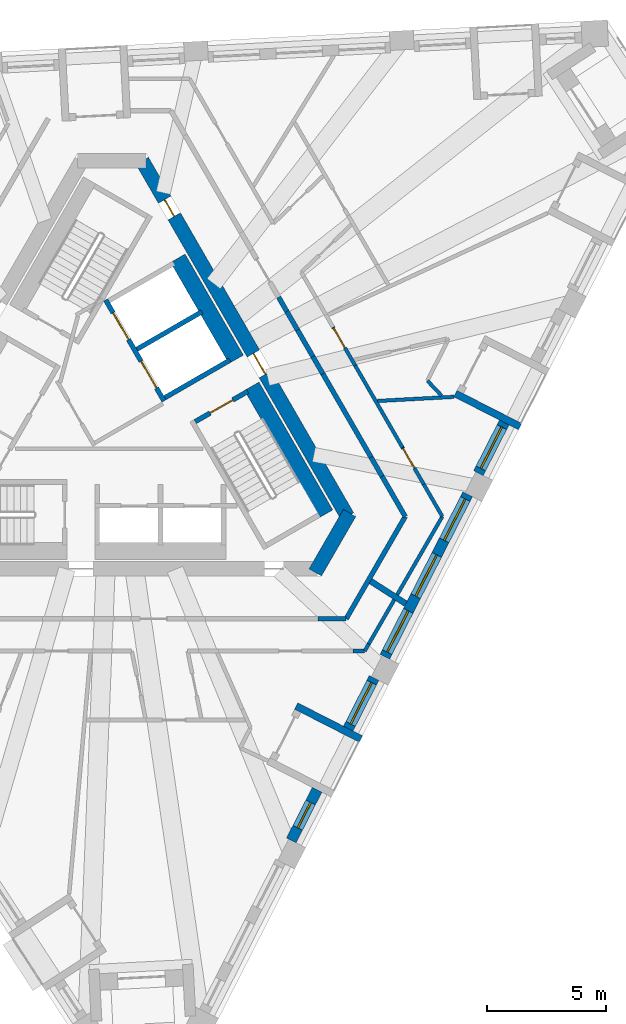
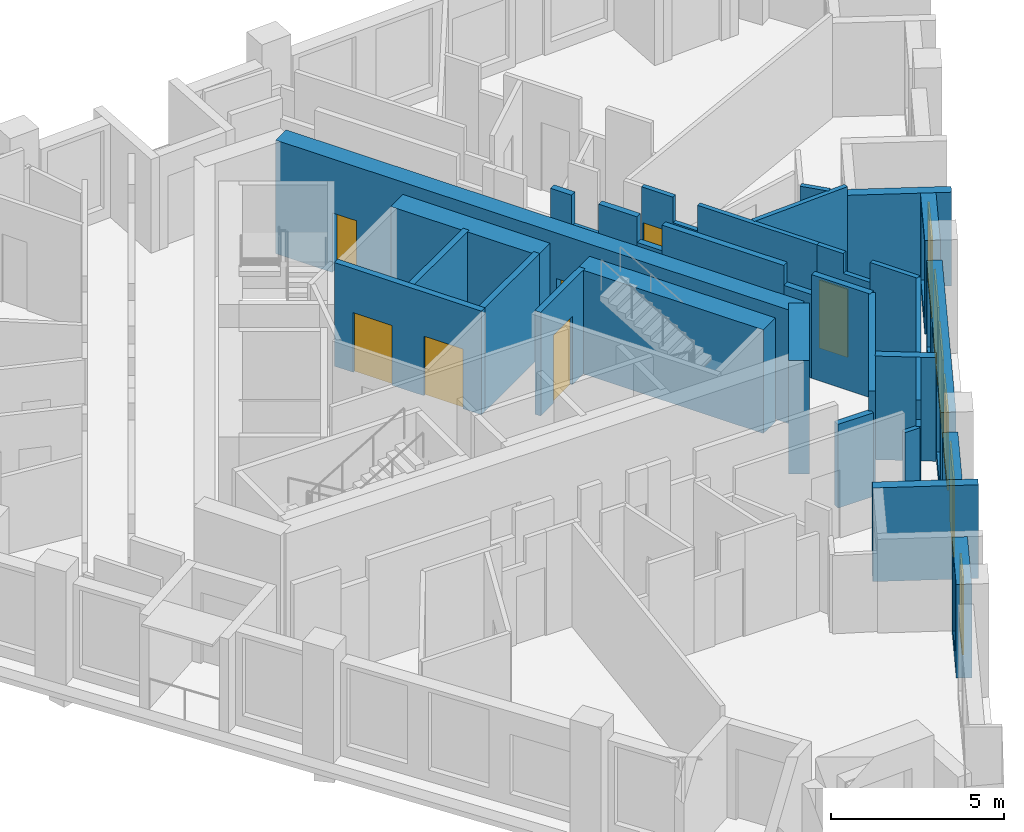
# One storey, part 5 of 13: 33 walls, 7 doors, 6 windows, 13 openings.
"""IFC4 building model written with IfcOpenShell, lengths in metres."""

import ifcopenshell
import ifcopenshell.guid

model = None  # the IFC model being written
_history = None  # IfcOwnerHistory: only IFC2X3 demands one
_inside = {}  # id of a spatial element -> (the spatial element, [elements in it])
_under = {}  # id of a project, library or spatial element -> (it, [spatial elements below it])
_declared = {}  # id of a project -> (the project, [libraries it declares])
_typed = {}  # id of a type object -> (the type object, [elements of that type])
_made_of = {}  # id of a material, layer set ... -> (it, [elements and type objects made of it])


def new_model(schema):
    """Start an empty IFC model of exactly this schema.

    Asked for "IFC4X3", IfcOpenShell would pick the latest addendum, in which some entities
    have other attributes; the version numbers below select the first issue.
    IFC2X3 requires an IfcOwnerHistory on every rooted entity: one is made here for all.
    """
    global model, _history
    if schema == "IFC4X3":
        model = ifcopenshell.file(schema_version=(4, 3, 0, 0))
    else:
        model = ifcopenshell.file(schema=schema)
    _inside.clear()
    _under.clear()
    _declared.clear()
    _typed.clear()
    _made_of.clear()
    _history = None
    if model.schema == "IFC2X3":
        org = make("IfcOrganization", Name="unknown")
        user = make(
            "IfcPersonAndOrganization",
            ThePerson=make("IfcPerson", FamilyName="unknown"),
            TheOrganization=org,
        )
        app = make(
            "IfcApplication",
            ApplicationDeveloper=org,
            Version="unknown",
            ApplicationFullName="unknown",
            ApplicationIdentifier="unknown",
        )
        _history = make(
            "IfcOwnerHistory",
            OwningUser=user,
            OwningApplication=app,
            ChangeAction="ADDED",
            CreationDate=0,
        )
    return model


def make(cls, **values):
    """One entity of the class cls with the attributes given. An attribute that is None is left unset."""
    return model.create_entity(
        cls, **{name: value for name, value in values.items() if value is not None}
    )


def rooted(cls, **values):
    """An entity with a GlobalId (a new one), such as an element, a storey or a relation."""
    return make(cls, GlobalId=ifcopenshell.guid.new(), OwnerHistory=_history, **values)


def si_unit(unit_type, name, prefix=None):
    """IfcSIUnit, for example si_unit("LENGTHUNIT", "METRE", prefix="MILLI")."""
    return make("IfcSIUnit", UnitType=unit_type, Prefix=prefix, Name=name)


def assignment(units):
    """IfcUnitAssignment: the units of a project."""
    return None if units is None else make("IfcUnitAssignment", Units=units)


def point(xyz):
    """IfcCartesianPoint."""
    return None if xyz is None else make("IfcCartesianPoint", Coordinates=xyz)


def direction(xyz):
    """IfcDirection."""
    return None if xyz is None else make("IfcDirection", DirectionRatios=xyz)


def frame(location, z_axis=None, x_axis=None):
    """IfcAxis2Placement3D, a coordinate frame: its origin and axes. An axis left out is left unset."""
    return make(
        "IfcAxis2Placement3D",
        Location=point(location),
        Axis=direction(z_axis),
        RefDirection=direction(x_axis),
    )


def frame_2d(location, x_axis=None):
    """IfcAxis2Placement2D, a coordinate frame in the plane: its origin and x axis."""
    return make(
        "IfcAxis2Placement2D", Location=point(location), RefDirection=direction(x_axis)
    )


def origin():
    """The frame at (0, 0, 0) with its axes left unset."""
    return frame((0.0, 0.0, 0.0))


def place(relative_to, where):
    """IfcLocalPlacement: puts the frame where relative to a parent placement (None: the world)."""
    return make(
        "IfcLocalPlacement", PlacementRelTo=relative_to, RelativePlacement=where
    )


def context(
    kind, dimensions, precision=None, world=None, true_north=None, identifier=None
):
    """IfcGeometricRepresentationContext, for example the 3D "Model" context."""
    return make(
        "IfcGeometricRepresentationContext",
        ContextIdentifier=identifier,
        ContextType=kind,
        CoordinateSpaceDimension=dimensions,
        Precision=precision,
        WorldCoordinateSystem=world,
        TrueNorth=true_north,
    )


def subcontext(parent, identifier, kind, view, scale=None):
    """IfcGeometricRepresentationSubContext, for example "Body" below "Model"."""
    return make(
        "IfcGeometricRepresentationSubContext",
        ContextIdentifier=identifier,
        ContextType=kind,
        ParentContext=parent,
        TargetScale=scale,
        TargetView=view,
    )


def project(units=None, contexts=None):
    """IfcProject with its units and contexts."""
    return rooted(
        "IfcProject",
        Name="project",
        RepresentationContexts=contexts,
        UnitsInContext=assignment(units),
    )


def spatial(cls, under=None, at=None, **own):
    """A site, building, storey or space (cls), placed at a placement, below another one or the project."""
    s = rooted(cls, ObjectPlacement=at, **own)
    if under is not None:
        _under.setdefault(under.id(), (under, []))[1].append(s)
    return s


def polyline(points):
    """IfcPolyline through the points."""
    return make("IfcPolyline", Points=[point(p) for p in points])


def profile(cls, at=None, kind="AREA", **sizes):
    """A parametric profile (cls). Its sizes go by their IFC names, for example OverallWidth=200.0."""
    return make(cls, ProfileType=kind, Position=at, **sizes)


def rectangle(**sizes):
    """IfcRectangleProfileDef."""
    return profile("IfcRectangleProfileDef", **sizes)


def outline(outer, holes=None, kind="AREA"):
    """IfcArbitraryClosedProfileDef: a profile drawn as a closed curve; with holes, ...WithVoids."""
    if holes is None:
        return make("IfcArbitraryClosedProfileDef", ProfileType=kind, OuterCurve=outer)
    return make(
        "IfcArbitraryProfileDefWithVoids",
        ProfileType=kind,
        OuterCurve=outer,
        InnerCurves=holes,
    )


def extrude(swept, where, along, depth):
    """IfcExtrudedAreaSolid: the profile swept, set in the frame where, extruded along a direction by depth."""
    return make(
        "IfcExtrudedAreaSolid",
        SweptArea=swept,
        Position=where,
        ExtrudedDirection=direction(along),
        Depth=depth,
    )


def shape(context_of_items, identifier, shape_type, items):
    """IfcShapeRepresentation: the items that make up one representation, for example the "Body"."""
    return make(
        "IfcShapeRepresentation",
        ContextOfItems=context_of_items,
        RepresentationIdentifier=identifier,
        RepresentationType=shape_type,
        Items=items,
    )


def material(Name=None, Category=None):
    """IfcMaterial."""
    return make("IfcMaterial", Name=Name, Category=Category)


def layer(
    of_material, thickness, ventilated=None, Name=None, Category=None, Priority=None
):
    """IfcMaterialLayer: one layer of a wall or slab, of a material (None: an air gap)."""
    return make(
        "IfcMaterialLayer",
        Material=of_material,
        LayerThickness=thickness,
        IsVentilated=ventilated,
        Name=Name,
        Category=Category,
        Priority=Priority,
    )


def layer_set(layers, Name=None):
    """IfcMaterialLayerSet."""
    return make("IfcMaterialLayerSet", MaterialLayers=layers, LayerSetName=Name)


def made_of(thing, what):
    """Note that an element or type object is made of a material, layer set ...; save() writes the relation."""
    if what is not None:
        _made_of.setdefault(what.id(), (what, []))[1].append(thing)
    return thing


def type_object(cls, material=None, **own):
    """A type object (cls), such as IfcWallType, which elements share."""
    return made_of(rooted(cls, **own), material)


def element(
    cls,
    number,
    at=None,
    inside=None,
    cuts=None,
    type_object=None,
    material=None,
    context=None,
    identifier="Body",
    shape_type=None,
    held_by="IfcProductDefinitionShape",
    body=None,
    shapes=None,
    **own,
):
    """One element of the class cls, such as IfcWall. Its Tag is "e" and its number.

    at: its placement. inside: the storey or other place that contains it. cuts: it is an
    opening in that element (IfcRelVoidsElement). A single representation is given by context,
    identifier, shape_type and body (its items); several are given by shapes. held_by: the class
    of the entity that holds the representations. save() writes the other relations.
    """
    e = rooted(cls, Tag="e%d" % number, ObjectPlacement=at, **own)
    if body is not None:
        shapes = [shape(context, identifier, shape_type, body)]
    if shapes is not None:
        e.Representation = make(held_by, Representations=shapes)
    if inside is not None:
        _inside.setdefault(inside.id(), (inside, []))[1].append(e)
    if cuts is not None:
        rooted(
            "IfcRelVoidsElement", RelatingBuildingElement=cuts, RelatedOpeningElement=e
        )
    if type_object is not None:
        _typed.setdefault(type_object.id(), (type_object, []))[1].append(e)
    return made_of(e, material)


def fill(opening, filler):
    """IfcRelFillsElement: the door or window that sits in an opening."""
    return rooted(
        "IfcRelFillsElement",
        RelatingOpeningElement=opening,
        RelatedBuildingElement=filler,
    )


def aggregate(whole, parts):
    """IfcRelAggregates: a whole, such as a stair, and the parts it consists of."""
    return rooted("IfcRelAggregates", RelatingObject=whole, RelatedObjects=parts)


def save(model, path):
    """Write the relations noted so far, then the file.

    IfcRelAggregates (storeys below a building ...), IfcRelContainedInSpatialStructure (elements
    in a storey), IfcRelDefinesByType, IfcRelAssociatesMaterial and IfcRelDeclares: one each for
    every whole, place, type object, material and project.
    """
    for whole, parts in _under.values():
        aggregate(whole, parts)
    for where, things in _inside.values():
        rooted(
            "IfcRelContainedInSpatialStructure",
            RelatedElements=things,
            RelatingStructure=where,
        )
    for kind, things in _typed.values():
        rooted("IfcRelDefinesByType", RelatedObjects=things, RelatingType=kind)
    for what, things in _made_of.values():
        rooted("IfcRelAssociatesMaterial", RelatedObjects=things, RelatingMaterial=what)
    for by, libraries in _declared.values():
        rooted("IfcRelDeclares", RelatingContext=by, RelatedDefinitions=libraries)
    model.write(path)


model = new_model("IFC4")

# Units and contexts
model_context = context("Model", 3, precision=1e-05, world=origin(), true_north=direction((0.0, 1.0)))
body_context = subcontext(model_context, "Body", "Model", "MODEL_VIEW")
ifc_project = project(units=[si_unit("LENGTHUNIT", "METRE"), si_unit("AREAUNIT", "SQUARE_METRE"), si_unit("VOLUMEUNIT", "CUBIC_METRE"), si_unit("PLANEANGLEUNIT", "RADIAN"), si_unit("MASSUNIT", "GRAM", prefix="KILO")], contexts=[model_context])

# Site, building, storey
site_placement = place(None, origin())
site = spatial("IfcSite", under=ifc_project, at=site_placement, CompositionType="ELEMENT")
building_placement = place(site_placement, origin())
building = spatial("IfcBuilding", under=site, at=building_placement, Name="Tramontana Tower", CompositionType="ELEMENT")
storey_placement = place(building_placement, frame((0.0, 0.0, 294.39990234375)))
storey = spatial("IfcBuildingStorey", under=building, at=storey_placement, Name="L69", CompositionType="ELEMENT", Elevation=294.39990234375)

# Wall
ifc_material_1 = material(Name="Concrete 70 MPa", Category="concrete")
ifc_layer_1 = layer(ifc_material_1, 0.60009765625)
ifc_layer_set_1 = layer_set([ifc_layer_1], Name="Core wall 600 70 MPa")
wall_type_1 = type_object("IfcWallType", Name="Core wall 600 70 MPa", PredefinedType="SHEAR", material=ifc_layer_set_1)
wall_1_placement = place(storey_placement, frame((8.544921875, -6.60009765625, 0.0), z_axis=(0.0, 0.0, 1.0), x_axis=(0.499995765644, 0.866027848477, 0.0)))
element("IfcWall", 1, at=wall_1_placement, inside=storey, type_object=wall_type_1, Name="Core wall C4 L69", PredefinedType="SHEAR", context=body_context, shape_type="SweptSolid", body=[
    extrude(rectangle(XDim=2.88671875, YDim=0.60009765625, at=frame_2d((1.443359375, 0.0))), origin(), (0.0, 0.0, 1.0), 4.0),
])

# Wall, openings, doors
wall_2_placement = place(storey_placement, frame((9.901611328125, -4.25, 0.0), z_axis=(0.0, 0.0, 1.0), x_axis=(-0.499999536116, 0.866025671608, 0.0)))
wall_2 = element("IfcWall", 2, at=wall_2_placement, inside=storey, type_object=wall_type_1, Name="Core wall C5 L69", PredefinedType="SHEAR", context=body_context, shape_type="SweptSolid", body=[
    extrude(rectangle(XDim=17.2626953125, YDim=0.60009765625, at=frame_2d((8.63134765625, 0.0))), origin(), (0.0, 0.0, 1.0), 4.0),
])
opening_1_placement = place(wall_2_placement, frame((6.906494140625, 0.0, 0.0)))
opening_1 = element("IfcOpeningElement", 3, at=opening_1_placement, cuts=wall_2, Name="Opening RG3", PredefinedType="OPENING", context=body_context, shape_type="SweptSolid", body=[
    extrude(rectangle(XDim=1.0, YDim=2.39990234375, at=frame_2d((0.5, 1.199951171875))), frame((0.0, 0.31005859375, 0.0), z_axis=(0.0, -1.0, 0.0), x_axis=(1.0, 0.0, 0.0)), (0.0, 0.0, 1.0), 0.6201171875),
])
opening_2_placement = place(wall_2_placement, frame((14.56689453125, 0.0, 0.0)))
opening_2 = element("IfcOpeningElement", 4, at=opening_2_placement, cuts=wall_2, Name="Opening PD3", PredefinedType="OPENING", context=body_context, shape_type="SweptSolid", body=[
    extrude(rectangle(XDim=0.800048828125, YDim=2.10009765625, at=frame_2d((0.39990234375, 1.050048828125))), frame((0.0, 0.31005859375, 0.0), z_axis=(0.0, -1.0, 0.0), x_axis=(1.0, 0.0, 0.0)), (0.0, 0.0, 1.0), 0.6201171875),
])
ifc_material_2 = material(Name="Painted steel", Category="steel")
door_type_1 = type_object("IfcDoorType", Name="CUPBOARD DOOR 800", OperationType="SINGLE_SWING_LEFT", PredefinedType="DOOR", material=ifc_material_2)
door_1_placement = place(opening_2_placement, origin())
door_1 = element("IfcDoor", 5, at=door_1_placement, inside=storey, type_object=door_type_1, Name="Door PD3", OperationType="SINGLE_SWING_RIGHT", OverallHeight=2.10009765625, OverallWidth=0.800048828125, PredefinedType="DOOR", context=body_context, shape_type="SweptSolid", body=[
    extrude(rectangle(XDim=0.800048828125, YDim=2.10009765625, at=frame_2d((0.39990234375, 1.050048828125))), frame((0.0, 0.02490234375, 0.0), z_axis=(0.0, -1.0, 0.0), x_axis=(1.0, 0.0, 0.0)), (0.0, 0.0, 1.0), 0.050048828125),
])
fill(opening_2, door_1)
ifc_material_3 = material(Name="Painted steel", Category="steel")
door_type_2 = type_object("IfcDoorType", Name="RING DOOR 1000", OperationType="SINGLE_SWING_LEFT", PredefinedType="DOOR", material=ifc_material_3)
door_2_placement = place(opening_1_placement, origin())
door_2 = element("IfcDoor", 6, at=door_2_placement, inside=storey, type_object=door_type_2, Name="Door RG3", OperationType="SINGLE_SWING_RIGHT", OverallHeight=2.39990234375, OverallWidth=1.0, PredefinedType="DOOR", context=body_context, shape_type="SweptSolid", body=[
    extrude(rectangle(XDim=1.0, YDim=2.39990234375, at=frame_2d((0.5, 1.199951171875))), frame((0.0, 0.02490234375, 0.0), z_axis=(0.0, -1.0, 0.0), x_axis=(1.0, 0.0, 0.0)), (0.0, 0.0, 1.0), 0.050048828125),
])
fill(opening_1, door_2)

# Walls
ifc_material_4 = material(Name="Blockwork", Category="masonry")
ifc_layer_2 = layer(ifc_material_4, 0.199951171875)
ifc_layer_set_2 = layer_set([ifc_layer_2], Name="ENTRY WALL 200")
wall_type_2 = type_object("IfcWallType", Name="ENTRY WALL 200", PredefinedType="SOLIDWALL", material=ifc_layer_set_2)
wall_3_placement = place(storey_placement, frame((12.326416015625, -4.25, 0.0), z_axis=(0.0, 0.0, 1.0), x_axis=(-0.50000478328, -0.866022642139, 0.0)))
element("IfcWall", 7, at=wall_3_placement, inside=storey, type_object=wall_type_2, Name="Wall v71-ew0", PredefinedType="SOLIDWALL", context=body_context, shape_type="SweptSolid", body=[
    extrude(rectangle(XDim=4.96533203125, YDim=0.199951171875, at=frame_2d((2.482666015625, 0.0))), origin(), (0.0, 0.0, 1.0), 3.650146484375),
])
wall_4_placement = place(storey_placement, frame((9.84375, -8.550048828125, 0.0), z_axis=(0.0, 0.0, 1.0), x_axis=(-1.0, 0.0, 0.0)))
element("IfcWall", 8, at=wall_4_placement, inside=storey, type_object=wall_type_2, Name="Wall v71-ew1-0", PredefinedType="SOLIDWALL", context=body_context, shape_type="SweptSolid", body=[
    extrude(rectangle(XDim=1.1884765625, YDim=0.199951171875, at=frame_2d((0.59423828125, 0.0))), origin(), (0.0, 0.0, 1.0), 2.9501953125),
])
wall_5_placement = place(storey_placement, frame((7.0068359375, 4.963623046875, 0.0), z_axis=(0.0, 0.0, 1.0), x_axis=(0.499977339252, -0.866038486578, 0.0)))
element("IfcWall", 9, at=wall_5_placement, inside=storey, type_object=wall_type_2, Name="Wall v71-ew5-5", PredefinedType="SOLIDWALL", context=body_context, shape_type="SweptSolid", body=[
    extrude(rectangle(XDim=0.69091796875, YDim=0.199951171875, at=frame_2d((0.345458984375, 0.0))), origin(), (0.0, 0.0, 1.0), 3.650146484375),
])
wall_6_placement = place(storey_placement, frame((7.352294921875, 4.365234375, 0.0), z_axis=(0.0, 0.0, 1.0), x_axis=(0.500074377092, -0.865982457891, 0.0)))
element("IfcWall", 10, at=wall_6_placement, inside=storey, type_object=wall_type_2, Name="Wall v71-ew5-6", PredefinedType="SOLIDWALL", context=body_context, shape_type="SweptSolid", body=[
    extrude(rectangle(XDim=0.900634765625, YDim=0.199951171875, at=frame_2d((0.4501953125, 0.0))), origin(), (0.0, 0.0, 1.0), 2.550048828125),
])
wall_7_placement = place(storey_placement, frame((7.802734375, 3.585205078125, 0.0), z_axis=(0.0, 0.0, 1.0), x_axis=(0.500018234033, -0.866014876105, 0.0)))
element("IfcWall", 11, at=wall_7_placement, inside=storey, type_object=wall_type_2, Name="Wall v71-ew5-7", PredefinedType="SOLIDWALL", context=body_context, shape_type="SweptSolid", body=[
    extrude(rectangle(XDim=1.2861328125, YDim=0.199951171875, at=frame_2d((0.64306640625, 0.0))), origin(), (0.0, 0.0, 1.0), 3.650146484375),
])
wall_8_placement = place(storey_placement, frame((8.44580078125, 2.471435546875, 0.0), z_axis=(0.0, 0.0, 1.0), x_axis=(0.499950631041, -0.86605390509, 0.0)))
element("IfcWall", 12, at=wall_8_placement, inside=storey, type_object=wall_type_2, Name="Wall v71-ew5-8", PredefinedType="SOLIDWALL", context=body_context, shape_type="SweptSolid", body=[
    extrude(rectangle(XDim=0.83349609375, YDim=0.199951171875, at=frame_2d((0.416748046875, 0.0))), origin(), (0.0, 0.0, 1.0), 2.75),
])
wall_9_placement = place(storey_placement, frame((8.862548828125, 1.74951171875, 0.0), z_axis=(0.0, 0.0, 1.0), x_axis=(0.500007556608, -0.866021040931, 0.0)))
element("IfcWall", 13, at=wall_9_placement, inside=storey, type_object=wall_type_2, Name="Wall v71-ew5-9", PredefinedType="SOLIDWALL", context=body_context, shape_type="SweptSolid", body=[
    extrude(rectangle(XDim=4.05224609375, YDim=0.199951171875, at=frame_2d((2.026123046875, 0.0))), origin(), (0.0, 0.0, 1.0), 3.650146484375),
])
wall_10_placement = place(storey_placement, frame((10.888671875, -1.759765625, 0.0), z_axis=(0.0, 0.0, 1.0), x_axis=(0.500102178127, -0.865966403178, 0.0)))
element("IfcWall", 14, at=wall_10_placement, inside=storey, type_object=wall_type_2, Name="Wall v71-ew5-10", PredefinedType="SOLIDWALL", context=body_context, shape_type="SweptSolid", body=[
    extrude(rectangle(XDim=0.927490234375, YDim=0.199951171875, at=frame_2d((0.4638671875, 0.0))), origin(), (0.0, 0.0, 1.0), 2.9501953125),
])
wall_11_placement = place(storey_placement, frame((11.3525390625, -2.56298828125, 0.0), z_axis=(0.0, 0.0, 1.0), x_axis=(0.499953905513, -0.866052014814, 0.0)))
element("IfcWall", 15, at=wall_11_placement, inside=storey, type_object=wall_type_2, Name="Wall v71-ew5-11", PredefinedType="SOLIDWALL", context=body_context, shape_type="SweptSolid", body=[
    extrude(rectangle(XDim=1.947998046875, YDim=0.199951171875, at=frame_2d((0.97412109375, 0.0))), origin(), (0.0, 0.0, 1.0), 3.650146484375),
])

# Wall, opening, window
ifc_material_5 = material(Name="Precast concrete 60 MPa", Category="concrete")
ifc_layer_3 = layer(ifc_material_5, 0.449951171875)
ifc_layer_set_3 = layer_set([ifc_layer_3], Name="Precast concrete 60 MPa, 450 mm")
wall_type_3 = type_object("IfcWallType", Name="EW1 Stone-faced precast wall 450", PredefinedType="SOLIDWALL", material=ifc_layer_set_3)
wall_12_placement = place(storey_placement, frame((7.53857421875, -17.859375, 0.0), z_axis=(0.0, 0.0, 1.0), x_axis=(0.454074413722, 0.890963762901, 0.0)))
wall_12 = element("IfcWall", 16, at=wall_12_placement, inside=storey, type_object=wall_type_3, Name="External wall L69 face 1 bay 2", PredefinedType="SOLIDWALL", context=body_context, shape_type="SweptSolid", body=[
    extrude(rectangle(XDim=2.38671875, YDim=0.449951171875, at=frame_2d((1.193359375, 0.0))), origin(), (0.0, 0.0, 1.0), 3.300048828125),
])
opening_3_placement = place(wall_12_placement, frame((0.59326171875, 0.0, 0.39990234375)))
opening_3 = element("IfcOpeningElement", 17, at=opening_3_placement, cuts=wall_12, Name="Opening N3", PredefinedType="OPENING", context=body_context, shape_type="SweptSolid", body=[
    extrude(rectangle(XDim=1.199951171875, YDim=2.75, at=frame_2d((0.60009765625, 1.375))), frame((0.0, 0.23486328125, 0.0), z_axis=(0.0, -1.0, 0.0), x_axis=(1.0, 0.0, 0.0)), (0.0, 0.0, 1.0), 0.469970703125),
])
ifc_material_6 = material(Name="Aluminum frame, double glazing unit", Category="aluminium")
window_type_1 = type_object("IfcWindowType", Name="N3 Window 1.2 x 2.75", PartitioningType="SINGLE_PANEL", PredefinedType="WINDOW", material=ifc_material_6)
window_1_placement = place(opening_3_placement, origin())
window_1 = element("IfcWindow", 18, at=window_1_placement, inside=storey, type_object=window_type_1, Name="Window N3 L69 face 1 module 4", OverallHeight=2.75, OverallWidth=1.199951171875, PartitioningType="SINGLE_PANEL", PredefinedType="WINDOW", context=body_context, shape_type="SweptSolid", body=[
    extrude(rectangle(XDim=1.199951171875, YDim=2.75, at=frame_2d((0.60009765625, 1.375))), frame((0.0, 0.030029296875, 0.0), z_axis=(0.0, -1.0, 0.0), x_axis=(1.0, 0.0, 0.0)), (0.0, 0.0, 1.0), 0.06005859375),
])
fill(opening_3, window_1)

wall_13_placement = place(storey_placement, frame((9.932861328125, -13.16064453125, 0.0), z_axis=(0.0, 0.0, 1.0), x_axis=(0.453993206954, 0.891005144788, 0.0)))
wall_13 = element("IfcWall", 19, at=wall_13_placement, inside=storey, type_object=wall_type_3, Name="External wall L69 face 1 bay 2", PredefinedType="SOLIDWALL", context=body_context, shape_type="SweptSolid", body=[
    extrude(rectangle(XDim=2.386474609375, YDim=0.449951171875, at=frame_2d((1.193359375, 0.0))), origin(), (0.0, 0.0, 1.0), 3.300048828125),
])
opening_4_placement = place(wall_13_placement, frame((0.21826171875, 0.0, 0.39990234375)))
opening_4 = element("IfcOpeningElement", 20, at=opening_4_placement, cuts=wall_13, Name="Opening M3", PredefinedType="OPENING", context=body_context, shape_type="SweptSolid", body=[
    extrude(rectangle(XDim=1.949951171875, YDim=2.75, at=frame_2d((0.97509765625, 1.375))), frame((0.0, 0.23486328125, 0.0), z_axis=(0.0, -1.0, 0.0), x_axis=(1.0, 0.0, 0.0)), (0.0, 0.0, 1.0), 0.469970703125),
])
ifc_material_7 = material(Name="Aluminum frame, double glazing unit", Category="aluminium")
window_type_2 = type_object("IfcWindowType", Name="M3 Window 1.95 x 2.75", PartitioningType="SINGLE_PANEL", PredefinedType="WINDOW", material=ifc_material_7)
window_2_placement = place(opening_4_placement, origin())
window_2 = element("IfcWindow", 21, at=window_2_placement, inside=storey, type_object=window_type_2, Name="Window M3 L69 face 1 module 6", OverallHeight=2.75, OverallWidth=1.949951171875, PartitioningType="SINGLE_PANEL", PredefinedType="WINDOW", context=body_context, shape_type="SweptSolid", body=[
    extrude(rectangle(XDim=1.949951171875, YDim=2.75, at=frame_2d((0.97509765625, 1.375))), frame((0.0, 0.030029296875, 0.0), z_axis=(0.0, -1.0, 0.0), x_axis=(1.0, 0.0, 0.0)), (0.0, 0.0, 1.0), 0.06005859375),
])
fill(opening_4, window_2)

# Wall, openings, windows
wall_14_placement = place(storey_placement, frame((11.47021484375, -10.14306640625, 0.0), z_axis=(0.0, 0.0, 1.0), x_axis=(0.453995484395, 0.891003984362, 0.0)))
wall_14 = element("IfcWall", 22, at=wall_14_placement, inside=storey, type_object=wall_type_3, Name="External wall L69 face 1 bay 3", PredefinedType="SOLIDWALL", context=body_context, shape_type="SweptSolid", body=[
    extrude(rectangle(XDim=7.660400390625, YDim=0.449951171875, at=frame_2d((3.830078125, 0.0))), origin(), (0.0, 0.0, 1.0), 3.300048828125),
])
opening_5_placement = place(wall_14_placement, frame((0.21826171875, 0.0, 0.39990234375)))
opening_5 = element("IfcOpeningElement", 23, at=opening_5_placement, cuts=wall_14, Name="Opening M3", PredefinedType="OPENING", context=body_context, shape_type="SweptSolid", body=[
    extrude(rectangle(XDim=1.949951171875, YDim=2.75, at=frame_2d((0.97509765625, 1.375))), frame((0.0, 0.23486328125, 0.0), z_axis=(0.0, -1.0, 0.0), x_axis=(1.0, 0.0, 0.0)), (0.0, 0.0, 1.0), 0.469970703125),
])
opening_6_placement = place(wall_14_placement, frame((2.855224609375, 0.0, 0.39990234375)))
opening_6 = element("IfcOpeningElement", 24, at=opening_6_placement, cuts=wall_14, Name="Opening M3", PredefinedType="OPENING", context=body_context, shape_type="SweptSolid", body=[
    extrude(rectangle(XDim=1.949951171875, YDim=2.75, at=frame_2d((0.97509765625, 1.375))), frame((0.0, 0.23486328125, 0.0), z_axis=(0.0, -1.0, 0.0), x_axis=(1.0, 0.0, 0.0)), (0.0, 0.0, 1.0), 0.469970703125),
])
opening_7_placement = place(wall_14_placement, frame((5.491943359375, 0.0, 0.39990234375)))
opening_7 = element("IfcOpeningElement", 25, at=opening_7_placement, cuts=wall_14, Name="Opening M3", PredefinedType="OPENING", context=body_context, shape_type="SweptSolid", body=[
    extrude(rectangle(XDim=1.949951171875, YDim=2.75, at=frame_2d((0.97509765625, 1.375))), frame((0.0, 0.23486328125, 0.0), z_axis=(0.0, -1.0, 0.0), x_axis=(1.0, 0.0, 0.0)), (0.0, 0.0, 1.0), 0.469970703125),
])
window_3_placement = place(opening_5_placement, origin())
window_3 = element("IfcWindow", 26, at=window_3_placement, inside=storey, type_object=window_type_2, Name="Window M3 L69 face 1 module 7", OverallHeight=2.75, OverallWidth=1.949951171875, PartitioningType="SINGLE_PANEL", PredefinedType="WINDOW", context=body_context, shape_type="SweptSolid", body=[
    extrude(rectangle(XDim=1.949951171875, YDim=2.75, at=frame_2d((0.97509765625, 1.375))), frame((0.0, 0.030029296875, 0.0), z_axis=(0.0, -1.0, 0.0), x_axis=(1.0, 0.0, 0.0)), (0.0, 0.0, 1.0), 0.06005859375),
])
fill(opening_5, window_3)
window_4_placement = place(opening_6_placement, origin())
window_4 = element("IfcWindow", 27, at=window_4_placement, inside=storey, type_object=window_type_2, Name="Window M3 L69 face 1 module 8", OverallHeight=2.75, OverallWidth=1.949951171875, PartitioningType="SINGLE_PANEL", PredefinedType="WINDOW", context=body_context, shape_type="SweptSolid", body=[
    extrude(rectangle(XDim=1.949951171875, YDim=2.75, at=frame_2d((0.97509765625, 1.375))), frame((0.0, 0.030029296875, 0.0), z_axis=(0.0, -1.0, 0.0), x_axis=(1.0, 0.0, 0.0)), (0.0, 0.0, 1.0), 0.06005859375),
])
fill(opening_6, window_4)
window_5_placement = place(opening_7_placement, origin())
window_5 = element("IfcWindow", 28, at=window_5_placement, inside=storey, type_object=window_type_2, Name="Window M3 L69 face 1 module 9", OverallHeight=2.75, OverallWidth=1.949951171875, PartitioningType="SINGLE_PANEL", PredefinedType="WINDOW", context=body_context, shape_type="SweptSolid", body=[
    extrude(rectangle(XDim=1.949951171875, YDim=2.75, at=frame_2d((0.97509765625, 1.375))), frame((0.0, 0.030029296875, 0.0), z_axis=(0.0, -1.0, 0.0), x_axis=(1.0, 0.0, 0.0)), (0.0, 0.0, 1.0), 0.06005859375),
])
fill(opening_7, window_5)

# Wall, opening, window
wall_15_placement = place(storey_placement, frame((15.402099609375, -2.4267578125, 0.0), z_axis=(0.0, 0.0, 1.0), x_axis=(0.453951830128, 0.891026226283, 0.0)))
wall_15 = element("IfcWall", 29, at=wall_15_placement, inside=storey, type_object=wall_type_3, Name="External wall L69 face 1 bay 4", PredefinedType="SOLIDWALL", context=body_context, shape_type="SweptSolid", body=[
    extrude(rectangle(XDim=2.38671875, YDim=0.449951171875, at=frame_2d((1.193359375, 0.0))), origin(), (0.0, 0.0, 1.0), 3.300048828125),
])
opening_8_placement = place(wall_15_placement, frame((0.21826171875, 0.0, 0.39990234375)))
opening_8 = element("IfcOpeningElement", 30, at=opening_8_placement, cuts=wall_15, Name="Opening M3", PredefinedType="OPENING", context=body_context, shape_type="SweptSolid", body=[
    extrude(rectangle(XDim=1.949951171875, YDim=2.75, at=frame_2d((0.97509765625, 1.375))), frame((0.0, 0.23486328125, 0.0), z_axis=(0.0, -1.0, 0.0), x_axis=(1.0, 0.0, 0.0)), (0.0, 0.0, 1.0), 0.469970703125),
])
window_6_placement = place(opening_8_placement, origin())
window_6 = element("IfcWindow", 31, at=window_6_placement, inside=storey, type_object=window_type_2, Name="Window M3 L69 face 1 module 10", OverallHeight=2.75, OverallWidth=1.949951171875, PartitioningType="SINGLE_PANEL", PredefinedType="WINDOW", context=body_context, shape_type="SweptSolid", body=[
    extrude(rectangle(XDim=1.949951171875, YDim=2.75, at=frame_2d((0.97509765625, 1.375))), frame((0.0, 0.030029296875, 0.0), z_axis=(0.0, -1.0, 0.0), x_axis=(1.0, 0.0, 0.0)), (0.0, 0.0, 1.0), 0.06005859375),
])
fill(opening_8, window_6)

# Walls
ifc_material_8 = material(Name="Precast concrete 60 MPa", Category="concrete")
ifc_layer_4 = layer(ifc_material_8, 0.300048828125)
ifc_layer_set_4 = layer_set([ifc_layer_4], Name="LW1 Stone-faced loggia wall 300")
wall_type_4 = type_object("IfcWallType", Name="LW1 Stone-faced loggia wall 300", PredefinedType="SOLIDWALL", material=ifc_layer_set_4)
for number, where, z_axis, x_axis, name in (
    (32, (10.466064453125, -13.600830078125, 0.0), (0.0, 0.0, 1.0), (-0.890991233495, 0.454020508165, 0.0), "Loggia return L69 G7S1.4b"),
    (33, (17.155029296875, -0.472900390625, 0.0), (0.0, 0.0, 1.0), (-0.890991233495, 0.454020508165, 0.0), "Loggia return L69 G7S1.10a"),
):
    element("IfcWall", number, at=place(storey_placement, frame(where, z_axis=z_axis, x_axis=x_axis)), inside=storey, type_object=wall_type_4, Name=name, PredefinedType="SOLIDWALL", context=body_context, shape_type="SweptSolid", body=[
        extrude(rectangle(XDim=3.050048828125, YDim=0.300048828125, at=frame_2d((1.52490234375, 0.0))), origin(), (0.0, 0.0, 1.0), 3.300048828125),
    ])

# Wall, opening, door
ifc_material_9 = material(Name="Gypsum board partition")
ifc_layer_5 = layer(ifc_material_9, 0.14990234375)
ifc_layer_set_5 = layer_set([ifc_layer_5], Name="PARTITION 150")
wall_type_5 = type_object("IfcWallType", Name="PARTITION 150", PredefinedType="PARTITIONING", material=ifc_layer_set_5)
wall_16_placement = place(storey_placement, frame((9.2939453125, 3.702392578125, 0.0), z_axis=(0.0, 0.0, 1.0), x_axis=(0.499942461466, -0.866058621124, 0.0)))
wall_16 = element("IfcWall", 34, at=wall_16_placement, inside=storey, type_object=wall_type_5, Name="Wall v71-pw33-4", PredefinedType="PARTITIONING", context=body_context, shape_type="SweptSolid", body=[
    extrude(outline(polyline([(0.0, 0.0), (1.857177734375, 0.0), (1.85693359375, 2.75), (1.049560546875, 2.75), (1.049560546875, 3.650146484375), (0.0, 3.650146484375), (0.0, 0.0)])), frame((0.0, 0.074951171875, 0.0), z_axis=(0.0, -1.0, 0.0), x_axis=(1.0, 0.0, 0.0)), (0.0, 0.0, 1.0), 0.14990234375),
])
opening_9_placement = place(wall_16_placement, frame((0.050048828125, 0.0, 0.0)))
opening_9 = element("IfcOpeningElement", 35, at=opening_9_placement, cuts=wall_16, Name="Opening B7B-16", PredefinedType="OPENING", context=body_context, shape_type="SweptSolid", body=[
    extrude(rectangle(XDim=0.949951171875, YDim=2.39990234375, at=frame_2d((0.47509765625, 1.199951171875))), frame((0.0, 0.0849609375, 0.0), z_axis=(0.0, -1.0, 0.0), x_axis=(1.0, 0.0, 0.0)), (0.0, 0.0, 1.0), 0.169921875),
])
ifc_material_10 = material(Name="Painted timber", Category="wood")
door_type_3 = type_object("IfcDoorType", Name="DOOR ROOM 950", OperationType="SINGLE_SWING_LEFT", PredefinedType="DOOR", material=ifc_material_10)
door_3_placement = place(opening_9_placement, origin())
door_3 = element("IfcDoor", 36, at=door_3_placement, inside=storey, type_object=door_type_3, Name="Door B7B-16", OperationType="SINGLE_SWING_RIGHT", OverallHeight=2.39990234375, OverallWidth=0.949951171875, PredefinedType="DOOR", context=body_context, shape_type="SweptSolid", body=[
    extrude(rectangle(XDim=0.949951171875, YDim=2.39990234375, at=frame_2d((0.47509765625, 1.199951171875))), frame((0.0, 0.02490234375, 0.0), z_axis=(0.0, -1.0, 0.0), x_axis=(1.0, 0.0, 0.0)), (0.0, 0.0, 1.0), 0.050048828125),
])
fill(opening_9, door_3)

# Wall
wall_17_placement = place(storey_placement, frame((10.222412109375, 2.093994140625, 0.0), z_axis=(0.0, 0.0, 1.0), x_axis=(0.500039377857, -0.866002667774, 0.0)))
element("IfcWall", 37, at=wall_17_placement, inside=storey, type_object=wall_type_5, Name="Wall v71-pw33-5", PredefinedType="PARTITIONING", context=body_context, shape_type="SweptSolid", body=[
    extrude(rectangle(XDim=3.978759765625, YDim=0.14990234375, at=frame_2d((1.9892578125, 0.0))), origin(), (0.0, 0.0, 1.0), 3.650146484375),
])

# Wall, opening, door
wall_18_placement = place(storey_placement, frame((12.2119140625, -1.3515625, 0.0), z_axis=(0.0, 0.0, 1.0), x_axis=(0.500011952599, -0.866018502838, 0.0)))
wall_18 = element("IfcWall", 38, at=wall_18_placement, inside=storey, type_object=wall_type_5, Name="Wall v71-pw33-6", PredefinedType="PARTITIONING", context=body_context, shape_type="SweptSolid", body=[
    extrude(outline(polyline([(0.0, 0.0), (1.7763671875, 0.0), (1.7763671875, 2.9501953125), (0.882080078125, 2.9501953125), (0.882080078125, 3.650146484375), (0.0, 3.650146484375), (0.0, 0.0)])), frame((0.0, 0.074951171875, 0.0), z_axis=(0.0, -1.0, 0.0), x_axis=(1.0, 0.0, 0.0)), (0.0, 0.0, 1.0), 0.14990234375),
])
opening_10_placement = place(wall_18_placement, frame((0.050048828125, 0.0, 0.0)))
opening_10 = element("IfcOpeningElement", 39, at=opening_10_placement, cuts=wall_18, Name="Opening B7B-17", PredefinedType="OPENING", context=body_context, shape_type="SweptSolid", body=[
    extrude(rectangle(XDim=0.949951171875, YDim=2.39990234375, at=frame_2d((0.47509765625, 1.199951171875))), frame((0.0, 0.0849609375, 0.0), z_axis=(0.0, -1.0, 0.0), x_axis=(1.0, 0.0, 0.0)), (0.0, 0.0, 1.0), 0.169921875),
])
door_4_placement = place(opening_10_placement, origin())
door_4 = element("IfcDoor", 40, at=door_4_placement, inside=storey, type_object=door_type_3, Name="Door B7B-17", OperationType="SINGLE_SWING_LEFT", OverallHeight=2.39990234375, OverallWidth=0.949951171875, PredefinedType="DOOR", context=body_context, shape_type="SweptSolid", body=[
    extrude(rectangle(XDim=0.949951171875, YDim=2.39990234375, at=frame_2d((0.47509765625, 1.199951171875))), frame((0.0, 0.02490234375, 0.0), z_axis=(0.0, -1.0, 0.0), x_axis=(1.0, 0.0, 0.0)), (0.0, 0.0, 1.0), 0.050048828125),
])
fill(opening_10, door_4)

# Walls
wall_19_placement = place(storey_placement, frame((13.10009765625, -2.889892578125, 0.0), z_axis=(0.0, 0.0, 1.0), x_axis=(0.499951222523, -0.866053563643, 0.0)))
element("IfcWall", 41, at=wall_19_placement, inside=storey, type_object=wall_type_5, Name="Wall v71-pw33-7", PredefinedType="PARTITIONING", context=body_context, shape_type="SweptSolid", body=[
    extrude(rectangle(XDim=1.570556640625, YDim=0.14990234375, at=frame_2d((0.78515625, 0.0))), origin(), (0.0, 0.0, 1.0), 3.650146484375),
])
wall_20_placement = place(storey_placement, frame((10.623046875, -9.89990234375, 0.0), z_axis=(0.0, 0.0, 1.0), x_axis=(-1.0, 0.0, 0.0)))
element("IfcWall", 42, at=wall_20_placement, inside=storey, type_object=wall_type_5, Name="Wall v71-pw36-0", PredefinedType="PARTITIONING", context=body_context, shape_type="SweptSolid", body=[
    extrude(rectangle(XDim=0.501708984375, YDim=0.14990234375, at=frame_2d((0.2509765625, 0.0))), origin(), (0.0, 0.0, 1.0), 2.9501953125),
])
wall_21_placement = place(storey_placement, frame((13.257568359375, 1.456787109375, 0.0), z_axis=(0.0, 0.0, 1.0), x_axis=(0.6859788215, -0.727621506316, 0.0)))
element("IfcWall", 43, at=wall_21_placement, inside=storey, type_object=wall_type_5, Name="Wall v71-pw38", PredefinedType="PARTITIONING", context=body_context, shape_type="SweptSolid", body=[
    extrude(rectangle(XDim=0.86767578125, YDim=0.14990234375, at=frame_2d((0.433837890625, 0.0))), origin(), (0.0, 0.0, 1.0), 3.650146484375),
])
wall_22_placement = place(storey_placement, frame((13.88525390625, -4.25, 0.0), z_axis=(0.0, 0.0, 1.0), x_axis=(-0.500003887042, -0.866023159588, 0.0)))
element("IfcWall", 44, at=wall_22_placement, inside=storey, type_object=wall_type_5, Name="Wall v71-pw39-0", PredefinedType="PARTITIONING", context=body_context, shape_type="SweptSolid", body=[
    extrude(rectangle(XDim=6.1826171875, YDim=0.14990234375, at=frame_2d((3.09130859375, 0.0))), origin(), (0.0, 0.0, 1.0), 3.650146484375),
])
wall_23_placement = place(storey_placement, frame((10.7939453125, -9.604248046875, 0.0), z_axis=(0.0, 0.0, 1.0), x_axis=(-0.499908181442, -0.866078408764, 0.0)))
element("IfcWall", 45, at=wall_23_placement, inside=storey, type_object=wall_type_5, Name="Wall v71-pw39-1", PredefinedType="PARTITIONING", context=body_context, shape_type="SweptSolid", body=[
    extrude(rectangle(XDim=0.34130859375, YDim=0.14990234375, at=frame_2d((0.170654296875, 0.0))), origin(), (0.0, 0.0, 1.0), 2.9501953125),
])
wall_24_placement = place(storey_placement, frame((14.369384765625, 0.778076171875, 0.0), z_axis=(0.0, 0.0, 1.0), x_axis=(-0.99853649782, -0.054081998127, 0.0)))
element("IfcWall", 46, at=wall_24_placement, inside=storey, type_object=wall_type_5, Name="Wall v71-pw42", PredefinedType="PARTITIONING", context=body_context, shape_type="SweptSolid", body=[
    extrude(rectangle(XDim=3.205078125, YDim=0.14990234375, at=frame_2d((1.6025390625, 0.0))), origin(), (0.0, 0.0, 1.0), 3.650146484375),
])
ifc_material_11 = material(Name="Blockwork", Category="masonry")
ifc_layer_6 = layer(ifc_material_11, 0.25)
ifc_layer_set_6 = layer_set([ifc_layer_6], Name="PARTY WALL 250")
wall_type_6 = type_object("IfcWallType", Name="PARTY WALL 250", PredefinedType="SOLIDWALL", material=ifc_layer_set_6)
wall_25_placement = place(storey_placement, frame((10.873779296875, -6.96630859375, 0.0), z_axis=(0.0, 0.0, 1.0), x_axis=(0.841981095846, -0.539507028906, 0.0)))
element("IfcWall", 47, at=wall_25_placement, inside=storey, type_object=wall_type_6, Name="Wall v71-pw37", PredefinedType="SOLIDWALL", context=body_context, shape_type="SweptSolid", body=[
    extrude(rectangle(XDim=1.757080078125, YDim=0.25, at=frame_2d((0.87841796875, 0.0))), origin(), (0.0, 0.0, 1.0), 3.650146484375),
])
ifc_material_12 = material(Name="Concrete 70 MPa", Category="concrete")
ifc_layer_7 = layer(ifc_material_12, 0.699951171875)
ifc_layer_set_7 = layer_set([ifc_layer_7], Name="Concrete 70 MPa, 700 mm")
wall_type_7 = type_object("IfcWallType", Name="RC SHAFT BACK WALL 700", PredefinedType="SOLIDWALL", material=ifc_layer_set_7)
wall_26_placement = place(storey_placement, frame((8.976318359375, -4.1474609375, 0.0), z_axis=(0.0, 0.0, 1.0), x_axis=(-0.49998037582, 0.866036733513, 0.0)))
element("IfcWall", 48, at=wall_26_placement, inside=storey, type_object=wall_type_7, Name="Wall st3-back", PredefinedType="SOLIDWALL", context=body_context, shape_type="SweptSolid", body=[
    extrude(rectangle(XDim=6.199951171875, YDim=0.699951171875, at=frame_2d((3.10009765625, 0.0))), origin(), (0.0, 0.0, 1.0), 3.650146484375),
])
wall_27_placement = place(storey_placement, frame((5.221435546875, 2.3564453125, 0.0), z_axis=(0.0, 0.0, 1.0), x_axis=(-0.500040169509, 0.866002210665, 0.0)))
element("IfcWall", 49, at=wall_27_placement, inside=storey, type_object=wall_type_7, Name="Wall row2-back", PredefinedType="SOLIDWALL", context=body_context, shape_type="SweptSolid", body=[
    extrude(rectangle(XDim=4.89990234375, YDim=0.699951171875, at=frame_2d((2.449951171875, 0.0))), origin(), (0.0, 0.0, 1.0), 3.650146484375),
])

# Wall, opening, door
ifc_material_13 = material(Name="Concrete 70 MPa", Category="concrete")
ifc_layer_8 = layer(ifc_material_13, 0.199951171875)
ifc_layer_set_8 = layer_set([ifc_layer_8], Name="Concrete 70 MPa, 200 mm")
wall_type_8 = type_object("IfcWallType", Name="RC STAIR AND SHAFT WALL 200", PredefinedType="SOLIDWALL", material=ifc_layer_set_8)
wall_28_placement = place(storey_placement, frame((3.50146484375, -0.2646484375, 0.0), z_axis=(0.0, 0.0, 1.0), x_axis=(0.866030925526, 0.499990435942, 0.0)))
wall_28 = element("IfcWall", 50, at=wall_28_placement, inside=storey, type_object=wall_type_8, Name="Wall st3-near", PredefinedType="SOLIDWALL", context=body_context, shape_type="SweptSolid", body=[
    extrude(rectangle(XDim=2.5498046875, YDim=0.199951171875, at=frame_2d((1.27490234375, 0.0))), origin(), (0.0, 0.0, 1.0), 3.650146484375),
])
opening_11_placement = place(wall_28_placement, frame((0.72509765625, 0.0, 0.0)))
opening_11 = element("IfcOpeningElement", 51, at=opening_11_placement, cuts=wall_28, Name="Opening SD3", PredefinedType="OPENING", context=body_context, shape_type="SweptSolid", body=[
    extrude(rectangle(XDim=1.10009765625, YDim=2.39990234375, at=frame_2d((0.550048828125, 1.199951171875))), frame((0.0, 0.10986328125, 0.0), z_axis=(0.0, -1.0, 0.0), x_axis=(1.0, 0.0, 0.0)), (0.0, 0.0, 1.0), 0.219970703125),
])
ifc_material_14 = material(Name="Painted steel", Category="steel")
door_type_4 = type_object("IfcDoorType", Name="STAIR DOOR 1100", OperationType="SINGLE_SWING_LEFT", PredefinedType="DOOR", material=ifc_material_14)
door_5_placement = place(opening_11_placement, origin())
door_5 = element("IfcDoor", 52, at=door_5_placement, inside=storey, type_object=door_type_4, Name="Door SD3", OperationType="SINGLE_SWING_RIGHT", OverallHeight=2.39990234375, OverallWidth=1.10009765625, PredefinedType="DOOR", context=body_context, shape_type="SweptSolid", body=[
    extrude(rectangle(XDim=1.10009765625, YDim=2.39990234375, at=frame_2d((0.550048828125, 1.199951171875))), frame((0.0, 0.02490234375, 0.0), z_axis=(0.0, -1.0, 0.0), x_axis=(1.0, 0.0, 0.0)), (0.0, 0.0, 1.0), 0.050048828125),
])
fill(opening_11, door_5)

# Wall, openings, doors
wall_29_placement = place(storey_placement, frame((2.190185546875, 0.6064453125, 0.0), z_axis=(0.0, 0.0, 1.0), x_axis=(-0.500002801628, 0.866023786258, 0.0)))
wall_29 = element("IfcWall", 53, at=wall_29_placement, inside=storey, type_object=wall_type_8, Name="Wall row2-front", PredefinedType="SOLIDWALL", context=body_context, shape_type="SweptSolid", body=[
    extrude(rectangle(XDim=4.89990234375, YDim=0.199951171875, at=frame_2d((2.449951171875, 0.0))), origin(), (0.0, 0.0, 1.0), 3.650146484375),
])
opening_12_placement = place(wall_29_placement, frame((0.625, 0.0, 0.0)))
opening_12 = element("IfcOpeningElement", 54, at=opening_12_placement, cuts=wall_29, Name="Opening LD-F1", PredefinedType="OPENING", context=body_context, shape_type="SweptSolid", body=[
    extrude(rectangle(XDim=1.300048828125, YDim=2.10009765625, at=frame_2d((0.64990234375, 1.050048828125))), frame((0.0, 0.10986328125, 0.0), z_axis=(0.0, -1.0, 0.0), x_axis=(1.0, 0.0, 0.0)), (0.0, 0.0, 1.0), 0.219970703125),
])
opening_13_placement = place(wall_29_placement, frame((2.97509765625, 0.0, 0.0)))
opening_13 = element("IfcOpeningElement", 55, at=opening_13_placement, cuts=wall_29, Name="Opening LD-F2", PredefinedType="OPENING", context=body_context, shape_type="SweptSolid", body=[
    extrude(rectangle(XDim=1.300048828125, YDim=2.10009765625, at=frame_2d((0.64990234375, 1.050048828125))), frame((0.0, 0.10986328125, 0.0), z_axis=(0.0, -1.0, 0.0), x_axis=(1.0, 0.0, 0.0)), (0.0, 0.0, 1.0), 0.219970703125),
])
ifc_material_15 = material(Name="Brushed steel", Category="steel")
door_type_5 = type_object("IfcDoorType", Name="LANDING DOOR 1300", OperationType="SINGLE_SWING_LEFT", PredefinedType="DOOR", material=ifc_material_15)
door_6_placement = place(opening_12_placement, origin())
door_6 = element("IfcDoor", 56, at=door_6_placement, inside=storey, type_object=door_type_5, Name="Door LD-F1", OperationType="SLIDING_TO_LEFT", OverallHeight=2.10009765625, OverallWidth=1.300048828125, PredefinedType="DOOR", context=body_context, shape_type="SweptSolid", body=[
    extrude(rectangle(XDim=1.300048828125, YDim=2.10009765625, at=frame_2d((0.64990234375, 1.050048828125))), frame((0.0, 0.02490234375, 0.0), z_axis=(0.0, -1.0, 0.0), x_axis=(1.0, 0.0, 0.0)), (0.0, 0.0, 1.0), 0.050048828125),
])
fill(opening_12, door_6)
door_7_placement = place(opening_13_placement, origin())
door_7 = element("IfcDoor", 57, at=door_7_placement, inside=storey, type_object=door_type_5, Name="Door LD-F2", OperationType="SLIDING_TO_RIGHT", OverallHeight=2.10009765625, OverallWidth=1.300048828125, PredefinedType="DOOR", context=body_context, shape_type="SweptSolid", body=[
    extrude(rectangle(XDim=1.300048828125, YDim=2.10009765625, at=frame_2d((0.64990234375, 1.050048828125))), frame((0.0, 0.02490234375, 0.0), z_axis=(0.0, -1.0, 0.0), x_axis=(1.0, 0.0, 0.0)), (0.0, 0.0, 1.0), 0.050048828125),
])
fill(opening_13, door_7)

# Walls
for number, where, z_axis, x_axis, name in (
    (58, (2.226806640625, 0.742919921875, 0.0), (0.0, 0.0, 1.0), (0.866035871367, 0.499981869177, 0.0), "Wall row2-side0"),
    (59, (1.0517578125, 2.778076171875, 0.0), (0.0, 0.0, 1.0), (0.866035871367, 0.499981869177, 0.0), "Wall row2-side1"),
):
    element("IfcWall", number, at=place(storey_placement, frame(where, z_axis=z_axis, x_axis=x_axis)), inside=storey, type_object=wall_type_8, Name=name, PredefinedType="SOLIDWALL", context=body_context, shape_type="SweptSolid", body=[
        extrude(rectangle(XDim=3.14990234375, YDim=0.199951171875, at=frame_2d((1.574951171875, 0.0))), origin(), (0.0, 0.0, 1.0), 3.650146484375),
    ])

save(model, "model.ifc")
